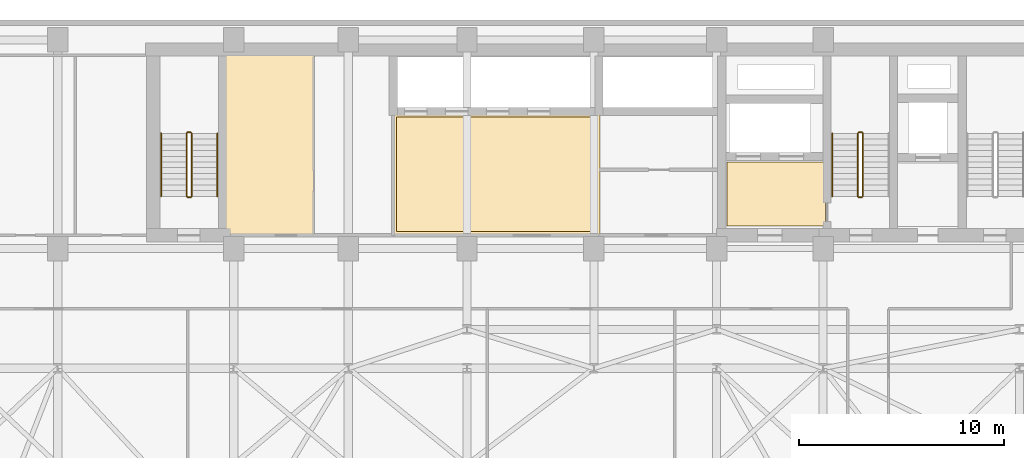
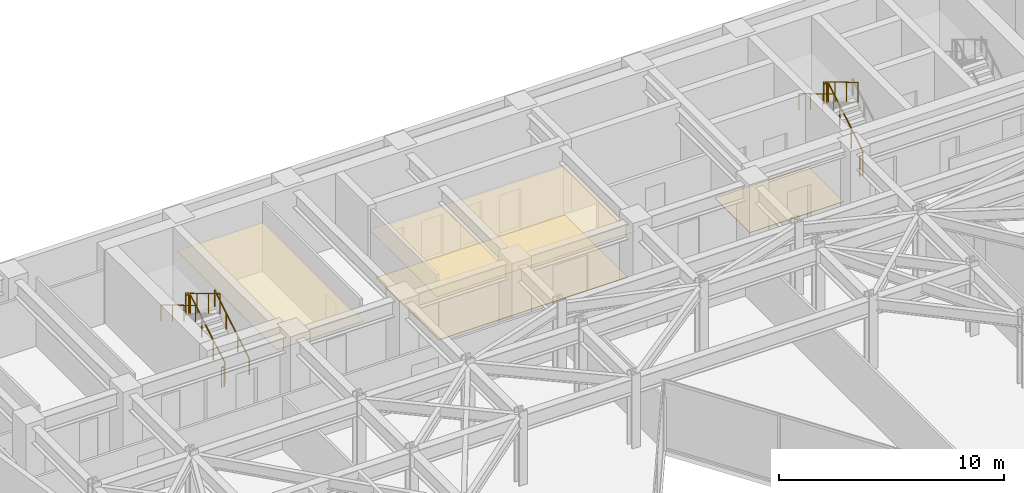
# One storey, part 19 of 20: 11 railings, 4 coverings.
"""IFC4 building model written with IfcOpenShell, lengths in metres."""

from ifc_helpers import new_model, si_unit, direction, frame, origin, origin_2d, place, context, subcontext, project, spatial, polyline, circle, outline, extrude, material, layer, layer_set, type_object, element, save


model = new_model("IFC4")

# Units and contexts
model_context = context("Model", 3, precision=1e-05, world=origin(), true_north=direction((0.0, 1.0)))
body_context = subcontext(model_context, "Body", "Model", "MODEL_VIEW")
ifc_project = project(units=[si_unit("LENGTHUNIT", "METRE"), si_unit("AREAUNIT", "SQUARE_METRE"), si_unit("VOLUMEUNIT", "CUBIC_METRE"), si_unit("PLANEANGLEUNIT", "RADIAN"), si_unit("MASSUNIT", "GRAM", prefix="KILO")], contexts=[model_context])

# Site, building, storey
site_placement = place(None, origin())
site = spatial("IfcSite", under=ifc_project, at=site_placement, CompositionType="ELEMENT")
building_placement = place(site_placement, origin())
building = spatial("IfcBuilding", under=site, at=building_placement, Name="Kravanh Interchange Tower", CompositionType="ELEMENT")
storey_placement = place(building_placement, frame((0.0, 0.0, 104.0)))
storey = spatial("IfcBuildingStorey", under=building, at=storey_placement, Name="L24", CompositionType="ELEMENT", Elevation=104.0)

# Coverings
ifc_material_1 = material(Name="Cementitious Terrazzo Tile")
ifc_layer_1 = layer(ifc_material_1, 0.030029296875)
ifc_layer_set_1 = layer_set([ifc_layer_1], Name="Honed Terrazzo Lobby Flooring 30mm")
covering_type_1 = type_object("IfcCoveringType", Name="Honed Terrazzo Lobby Flooring 30mm", PredefinedType="FLOORING", material=ifc_layer_set_1)
covering_1_placement = place(storey_placement, origin())
element("IfcCovering", 1, at=covering_1_placement, inside=storey, type_object=covering_type_1, Name="L24 Firefighting Lobby Floor Finish", PredefinedType="FLOORING", context=body_context, shape_type="SweptSolid", body=[
    extrude(outline(polyline([(56.1201171875, 38.4599609375), (51.300048828125, 38.4599609375), (51.300048828125, 41.580078125), (56.1201171875, 41.580078125), (56.1201171875, 38.4599609375)])), origin(), (0.0, 0.0, 1.0), 0.030029296875),
])
covering_2_placement = place(storey_placement, origin())
element("IfcCovering", 2, at=covering_2_placement, inside=storey, type_object=covering_type_1, Name="L24 Mid-Rise Lift Lobby Floor Finish", PredefinedType="FLOORING", context=body_context, shape_type="SweptSolid", body=[
    extrude(outline(polyline([(35.159912109375, 43.77001953125), (44.8701171875, 43.77001953125), (44.8701171875, 38.179931640625), (35.159912109375, 38.179931640625), (35.159912109375, 43.77001953125)])), origin(), (0.0, 0.0, 1.0), 0.030029296875),
])
ifc_material_2 = material(Name="Anodised Bronze Aluminium Acoustic Baffle", Category="aluminium")
ifc_layer_2 = layer(ifc_material_2, 0.034912109375)
ifc_layer_set_2 = layer_set([ifc_layer_2], Name="Linear Bronze Baffle Feature Ceiling 35mm")
covering_type_2 = type_object("IfcCoveringType", Name="Linear Bronze Baffle Feature Ceiling 35mm", PredefinedType="CEILING", material=ifc_layer_set_2)
covering_3_placement = place(storey_placement, frame((0.0, 0.0, 2.550048828125)))
element("IfcCovering", 3, at=covering_3_placement, inside=storey, type_object=covering_type_2, Name="L24 Regional IT Server Suite Suspended Ceiling", PredefinedType="CEILING", context=body_context, shape_type="SweptSolid", body=[
    extrude(outline(polyline([(31.159912109375, 37.9599609375), (26.7099609375, 37.9599609375), (26.7099609375, 46.840087890625), (31.159912109375, 46.840087890625), (31.159912109375, 37.9599609375)])), origin(), (0.0, 0.0, 1.0), 0.034912109375),
])
ifc_material_3 = material(Name="Acoustic Mineral Fibre Tile on Aluminium Grid", Category="aluminium")
ifc_layer_3 = layer(ifc_material_3, 0.02490234375)
ifc_layer_set_3 = layer_set([ifc_layer_3], Name="Perforated Acoustic Mineral Ceiling 25mm")
covering_type_3 = type_object("IfcCoveringType", Name="Perforated Acoustic Mineral Ceiling 25mm", PredefinedType="CEILING", material=ifc_layer_set_3)
covering_4_placement = place(storey_placement, frame((0.0, 0.0, 2.550048828125)))
element("IfcCovering", 4, at=covering_4_placement, inside=storey, type_object=covering_type_3, Name="L24 Mid-Rise Lift Lobby Suspended Ceiling", PredefinedType="CEILING", context=body_context, shape_type="SweptSolid", body=[
    extrude(outline(polyline([(45.090087890625, 37.9599609375), (34.93994140625, 37.9599609375), (34.93994140625, 43.989990234375), (45.090087890625, 43.989990234375), (45.090087890625, 37.9599609375)])), origin(), (0.0, 0.0, 1.0), 0.02490234375),
])

# Railings
ifc_material_4 = material(Name="Structural Steel S355", Category="steel")
ifc_layer_4 = layer(ifc_material_4, 0.050048828125)
ifc_layer_set_4 = layer_set([ifc_layer_4], Name="Stair Well Guardrail Structural Steel S355 1100mm")
railing_type_1 = type_object("IfcRailingType", Name="Stair Well Guardrail Structural Steel S355 1100mm", PredefinedType="GUARDRAIL", material=ifc_layer_set_4)
railing_1_placement = place(storey_placement, frame((57.949951171875, 39.89990234375, 0.166748046875)))
element("IfcRailing", 5, at=railing_1_placement, inside=storey, type_object=railing_type_1, Name="L24 ST2 stair guard 1", PredefinedType="GUARDRAIL", context=body_context, shape_type="SweptSolid", body=[
    extrude(circle(Radius=0.02392578125, at=origin_2d()), frame((0.0, 0.0, 1.076171875), z_axis=(0.0, 0.859308565015, 0.511457515432), x_axis=(-1.0, 0.0, 0.0)), (0.0, 0.0, 1.0), 3.58447265625),
    extrude(circle(Radius=0.02099609375, at=origin_2d()), origin(), (0.0, 0.0, 1.0), 1.052001953125),
    extrude(circle(Radius=0.02099609375, at=origin_2d()), frame((0.0, 1.026611328125, 0.611083984375)), (0.0, 0.0, 1.0), 1.052001953125),
    extrude(circle(Radius=0.02099609375, at=origin_2d()), frame((0.0, 2.053466796875, 1.22216796875)), (0.0, 0.0, 1.0), 1.052001953125),
    extrude(circle(Radius=0.02099609375, at=origin_2d()), frame((0.0, 3.080078125, 1.833251953125)), (0.0, 0.0, 1.0), 1.052001953125),
])
railing_2_placement = place(storey_placement, frame((57.89990234375, 43.030029296875, 2.0)))
element("IfcRailing", 6, at=railing_2_placement, inside=storey, type_object=railing_type_1, Name="L24 ST2 stair guard 2", PredefinedType="GUARDRAIL", context=body_context, shape_type="SweptSolid", body=[
    extrude(circle(Radius=0.02392578125, at=origin_2d()), frame((0.0, 0.0, 1.076171875), z_axis=(-1.0, 0.0, 0.0), x_axis=(0.0, -1.0, 0.0)), (0.0, 0.0, 1.0), 0.14990234375),
    extrude(circle(Radius=0.02099609375, at=origin_2d()), origin(), (0.0, 0.0, 1.0), 1.052001953125),
    extrude(circle(Radius=0.02099609375, at=origin_2d()), frame((-0.14990234375, 0.0, 0.0)), (0.0, 0.0, 1.0), 1.052001953125),
])
railing_3_placement = place(storey_placement, frame((57.699951171875, 42.97998046875, 2.166748046875)))
element("IfcRailing", 7, at=railing_3_placement, inside=storey, type_object=railing_type_1, Name="L24 ST2 stair guard 3", PredefinedType="GUARDRAIL", context=body_context, shape_type="SweptSolid", body=[
    extrude(circle(Radius=0.02392578125, at=origin_2d()), frame((0.0, 0.0, 1.076171875), z_axis=(0.0, -0.859308565015, 0.511457515432), x_axis=(1.0, 0.0, 0.0)), (0.0, 0.0, 1.0), 3.58447265625),
    extrude(circle(Radius=0.02099609375, at=origin_2d()), origin(), (0.0, 0.0, 1.0), 1.052001953125),
    extrude(circle(Radius=0.02099609375, at=origin_2d()), frame((0.0, -1.026611328125, 0.611083984375)), (0.0, 0.0, 1.0), 1.052001953125),
    extrude(circle(Radius=0.02099609375, at=origin_2d()), frame((0.0, -2.053466796875, 1.22216796875)), (0.0, 0.0, 1.0), 1.052001953125),
    extrude(circle(Radius=0.02099609375, at=origin_2d()), frame((0.0, -3.080078125, 1.833251953125)), (0.0, 0.0, 1.0), 1.052001953125),
])
railing_4_placement = place(storey_placement, frame((57.89990234375, 39.85009765625, 0.0)))
element("IfcRailing", 8, at=railing_4_placement, inside=storey, type_object=railing_type_1, Name="L24 ST2 stair guard 4", PredefinedType="GUARDRAIL", context=body_context, shape_type="SweptSolid", body=[
    extrude(circle(Radius=0.02392578125, at=origin_2d()), frame((0.0, 0.0, 1.076171875), z_axis=(-1.0, 0.0, 0.0), x_axis=(0.0, -1.0, 0.0)), (0.0, 0.0, 1.0), 0.14990234375),
    extrude(circle(Radius=0.02099609375, at=origin_2d()), origin(), (0.0, 0.0, 1.0), 1.052001953125),
    extrude(circle(Radius=0.02099609375, at=origin_2d()), frame((-0.14990234375, 0.0, 0.0)), (0.0, 0.0, 1.0), 1.052001953125),
])
railing_5_placement = place(storey_placement, frame((25.14990234375, 39.89990234375, 0.166748046875)))
element("IfcRailing", 9, at=railing_5_placement, inside=storey, type_object=railing_type_1, Name="L24 ST3 stair guard 1", PredefinedType="GUARDRAIL", context=body_context, shape_type="SweptSolid", body=[
    extrude(circle(Radius=0.02392578125, at=origin_2d()), frame((0.0, 0.0, 1.076171875), z_axis=(0.0, 0.859308565015, 0.511457515432), x_axis=(-1.0, 0.0, 0.0)), (0.0, 0.0, 1.0), 3.58447265625),
    extrude(circle(Radius=0.02099609375, at=origin_2d()), origin(), (0.0, 0.0, 1.0), 1.052001953125),
    extrude(circle(Radius=0.02099609375, at=origin_2d()), frame((0.0, 1.026611328125, 0.611083984375)), (0.0, 0.0, 1.0), 1.052001953125),
    extrude(circle(Radius=0.02099609375, at=origin_2d()), frame((0.0, 2.053466796875, 1.22216796875)), (0.0, 0.0, 1.0), 1.052001953125),
    extrude(circle(Radius=0.02099609375, at=origin_2d()), frame((0.0, 3.080078125, 1.833251953125)), (0.0, 0.0, 1.0), 1.052001953125),
])
railing_6_placement = place(storey_placement, frame((25.10009765625, 43.030029296875, 2.0)))
element("IfcRailing", 10, at=railing_6_placement, inside=storey, type_object=railing_type_1, Name="L24 ST3 stair guard 2", PredefinedType="GUARDRAIL", context=body_context, shape_type="SweptSolid", body=[
    extrude(circle(Radius=0.02392578125, at=origin_2d()), frame((0.0, 0.0, 1.076171875), z_axis=(-1.0, 0.0, 0.0), x_axis=(0.0, -1.0, 0.0)), (0.0, 0.0, 1.0), 0.150146484375),
    extrude(circle(Radius=0.02099609375, at=origin_2d()), origin(), (0.0, 0.0, 1.0), 1.052001953125),
    extrude(circle(Radius=0.02099609375, at=origin_2d()), frame((-0.150146484375, 0.0, 0.0)), (0.0, 0.0, 1.0), 1.052001953125),
])
railing_7_placement = place(storey_placement, frame((24.89990234375, 42.97998046875, 2.166748046875)))
element("IfcRailing", 11, at=railing_7_placement, inside=storey, type_object=railing_type_1, Name="L24 ST3 stair guard 3", PredefinedType="GUARDRAIL", context=body_context, shape_type="SweptSolid", body=[
    extrude(circle(Radius=0.02392578125, at=origin_2d()), frame((0.0, 0.0, 1.076171875), z_axis=(0.0, -0.859308565015, 0.511457515432), x_axis=(1.0, 0.0, 0.0)), (0.0, 0.0, 1.0), 3.58447265625),
    extrude(circle(Radius=0.02099609375, at=origin_2d()), origin(), (0.0, 0.0, 1.0), 1.052001953125),
    extrude(circle(Radius=0.02099609375, at=origin_2d()), frame((0.0, -1.026611328125, 0.611083984375)), (0.0, 0.0, 1.0), 1.052001953125),
    extrude(circle(Radius=0.02099609375, at=origin_2d()), frame((0.0, -2.053466796875, 1.22216796875)), (0.0, 0.0, 1.0), 1.052001953125),
    extrude(circle(Radius=0.02099609375, at=origin_2d()), frame((0.0, -3.080078125, 1.833251953125)), (0.0, 0.0, 1.0), 1.052001953125),
])
railing_8_placement = place(storey_placement, frame((25.10009765625, 39.85009765625, 0.0)))
element("IfcRailing", 12, at=railing_8_placement, inside=storey, type_object=railing_type_1, Name="L24 ST3 stair guard 4", PredefinedType="GUARDRAIL", context=body_context, shape_type="SweptSolid", body=[
    extrude(circle(Radius=0.02392578125, at=origin_2d()), frame((0.0, 0.0, 1.076171875), z_axis=(-1.0, 0.0, 0.0), x_axis=(0.0, -1.0, 0.0)), (0.0, 0.0, 1.0), 0.150146484375),
    extrude(circle(Radius=0.02099609375, at=origin_2d()), origin(), (0.0, 0.0, 1.0), 1.052001953125),
    extrude(circle(Radius=0.02099609375, at=origin_2d()), frame((-0.150146484375, 0.0, 0.0)), (0.0, 0.0, 1.0), 1.052001953125),
])
ifc_material_5 = material(Name="Stainless Steel 304", Category="steel")
ifc_layer_5 = layer(ifc_material_5, 0.044921875)
ifc_layer_set_5 = layer_set([ifc_layer_5], Name="Tubular Stair Handrail Stainless 304 900mm")
railing_type_2 = type_object("IfcRailingType", Name="Tubular Stair Handrail Stainless 304 900mm", PredefinedType="HANDRAIL", material=ifc_layer_set_5)
railing_9_placement = place(storey_placement, frame((56.449951171875, 42.97998046875, 2.166748046875)))
element("IfcRailing", 13, at=railing_9_placement, inside=storey, type_object=railing_type_2, Name="L24 ST2 stair handrail 2", PredefinedType="HANDRAIL", context=body_context, shape_type="SweptSolid", body=[
    extrude(circle(Radius=0.02392578125, at=origin_2d()), frame((0.0, 0.0, 0.8759765625), z_axis=(0.0, -0.859308565015, 0.511457515432), x_axis=(1.0, 0.0, 0.0)), (0.0, 0.0, 1.0), 3.58447265625),
    extrude(circle(Radius=0.02099609375, at=origin_2d()), origin(), (0.0, 0.0, 1.0), 0.851806640625),
    extrude(circle(Radius=0.02099609375, at=origin_2d()), frame((0.0, -1.026611328125, 0.611083984375)), (0.0, 0.0, 1.0), 0.851806640625),
    extrude(circle(Radius=0.02099609375, at=origin_2d()), frame((0.0, -2.053466796875, 1.22216796875)), (0.0, 0.0, 1.0), 0.851806640625),
    extrude(circle(Radius=0.02099609375, at=origin_2d()), frame((0.0, -3.080078125, 1.833251953125)), (0.0, 0.0, 1.0), 0.851806640625),
])
railing_10_placement = place(storey_placement, frame((26.39990234375, 39.89990234375, 0.166748046875)))
element("IfcRailing", 14, at=railing_10_placement, inside=storey, type_object=railing_type_2, Name="L24 ST3 stair handrail 1", PredefinedType="HANDRAIL", context=body_context, shape_type="SweptSolid", body=[
    extrude(circle(Radius=0.02392578125, at=origin_2d()), frame((0.0, 0.0, 0.8759765625), z_axis=(0.0, 0.859308565015, 0.511457515432), x_axis=(-1.0, 0.0, 0.0)), (0.0, 0.0, 1.0), 3.58447265625),
    extrude(circle(Radius=0.02099609375, at=origin_2d()), origin(), (0.0, 0.0, 1.0), 0.851806640625),
    extrude(circle(Radius=0.02099609375, at=origin_2d()), frame((0.0, 1.026611328125, 0.611083984375)), (0.0, 0.0, 1.0), 0.851806640625),
    extrude(circle(Radius=0.02099609375, at=origin_2d()), frame((0.0, 2.053466796875, 1.22216796875)), (0.0, 0.0, 1.0), 0.851806640625),
    extrude(circle(Radius=0.02099609375, at=origin_2d()), frame((0.0, 3.080078125, 1.833251953125)), (0.0, 0.0, 1.0), 0.851806640625),
])
railing_11_placement = place(storey_placement, frame((23.64990234375, 42.97998046875, 2.166748046875)))
element("IfcRailing", 15, at=railing_11_placement, inside=storey, type_object=railing_type_2, Name="L24 ST3 stair handrail 2", PredefinedType="HANDRAIL", context=body_context, shape_type="SweptSolid", body=[
    extrude(circle(Radius=0.02392578125, at=origin_2d()), frame((0.0, 0.0, 0.8759765625), z_axis=(0.0, -0.859308565015, 0.511457515432), x_axis=(1.0, 0.0, 0.0)), (0.0, 0.0, 1.0), 3.58447265625),
    extrude(circle(Radius=0.02099609375, at=origin_2d()), origin(), (0.0, 0.0, 1.0), 0.851806640625),
    extrude(circle(Radius=0.02099609375, at=origin_2d()), frame((0.0, -1.026611328125, 0.611083984375)), (0.0, 0.0, 1.0), 0.851806640625),
    extrude(circle(Radius=0.02099609375, at=origin_2d()), frame((0.0, -2.053466796875, 1.22216796875)), (0.0, 0.0, 1.0), 0.851806640625),
    extrude(circle(Radius=0.02099609375, at=origin_2d()), frame((0.0, -3.080078125, 1.833251953125)), (0.0, 0.0, 1.0), 0.851806640625),
])

save(model, "model.ifc")
